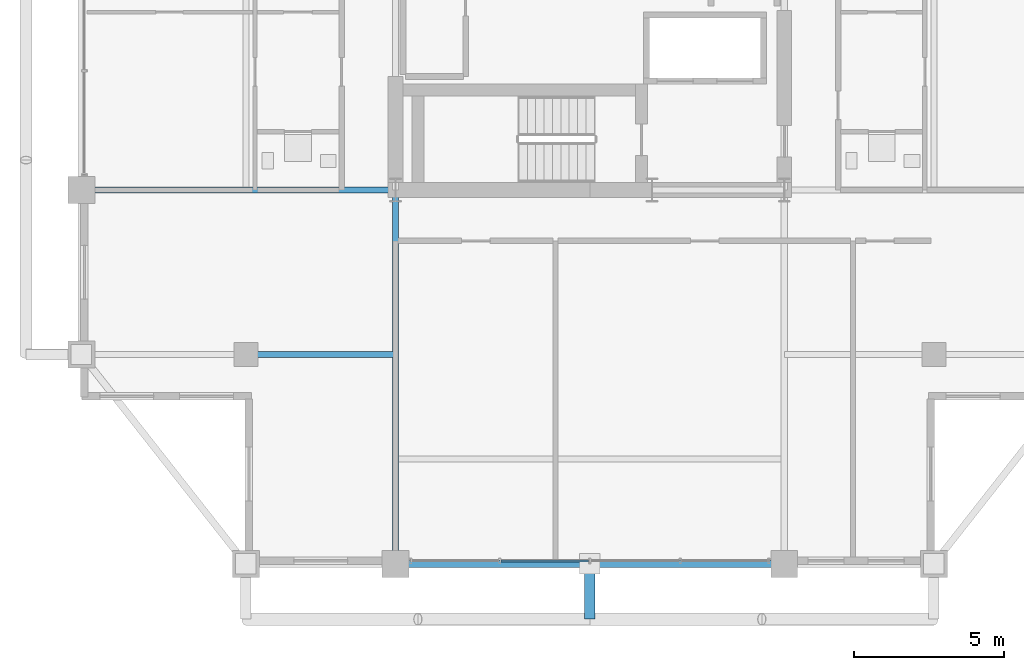
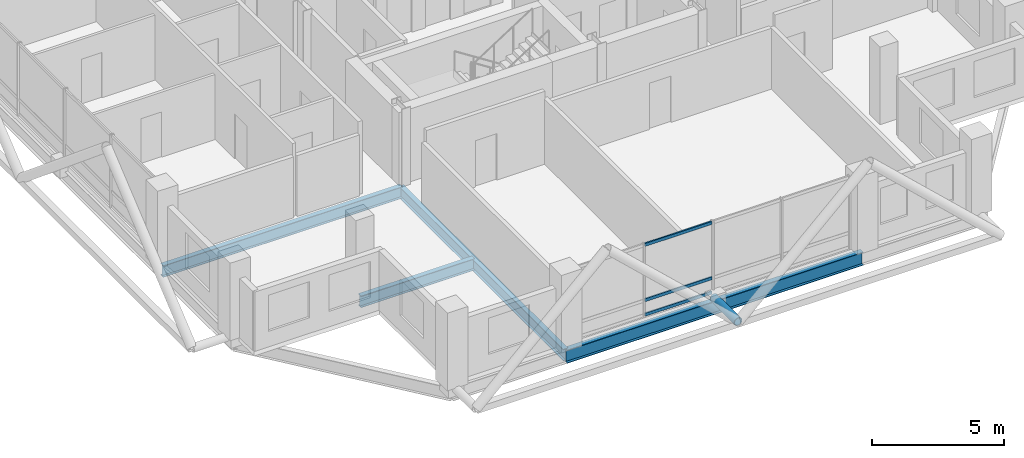
# One storey, part 4 of 24: 4 beams, 4 members, 1 element without a shape of its own.
"""IFC4 building model written with IfcOpenShell, lengths in metres."""

from ifc_helpers import new_model, si_unit, direction, frame, origin, origin_2d, place, context, subcontext, project, spatial, hollow_rectangle, hollow_circle, i_section, extrude, material, layer, layer_set, material_profile, profile_set, type_object, element, aggregate, save


model = new_model("IFC4")

# Units and contexts
model_context = context("Model", 3, precision=1e-05, world=origin(), true_north=direction((0.0, 1.0)))
body_context = subcontext(model_context, "Body", "Model", "MODEL_VIEW")
ifc_project = project(units=[si_unit("LENGTHUNIT", "METRE"), si_unit("AREAUNIT", "SQUARE_METRE"), si_unit("VOLUMEUNIT", "CUBIC_METRE"), si_unit("PLANEANGLEUNIT", "RADIAN"), si_unit("MASSUNIT", "GRAM", prefix="KILO")], contexts=[model_context])

# Site, building, storey
site_placement = place(None, origin())
site = spatial("IfcSite", under=ifc_project, at=site_placement, CompositionType="ELEMENT")
building_placement = place(site_placement, origin())
building = spatial("IfcBuilding", under=site, at=building_placement, Name="Barlavira Tower and Art Museum", CompositionType="ELEMENT")
storey_placement = place(building_placement, frame((0.0, 0.0, 251.10009765625)))
storey = spatial("IfcBuildingStorey", under=building, at=storey_placement, Name="L65", CompositionType="ELEMENT", Elevation=251.10009765625)

# Curtain wall, members
ifc_material_1 = material(Name="Low-iron coastal laminated glass", Category="glass")
ifc_layer = layer(ifc_material_1, 0.2099609375, Name="Low-iron coastal laminated glass")
ifc_layer_set = layer_set([ifc_layer], Name="Low-iron coastal laminated glass")
curtain_wall_type = type_object("IfcCurtainWallType", Name="Pale-Metal Unitised Curtain Wall Zone 4", PredefinedType="NOTDEFINED", material=ifc_layer_set)
curtain_wall_placement = place(storey_placement, origin())
curtain_wall = element("IfcCurtainWall", 1, at=curtain_wall_placement, inside=storey, type_object=curtain_wall_type, Name="L65 Curtain Wall CW4-L65-S-B2", PredefinedType="NOTDEFINED")
ifc_material_2 = material(Name="Pale anodised aluminium", Category="aluminium")
ifc_material_profile_1 = material_profile(ifc_material_2, hollow_rectangle(XDim=0.06494140625, YDim=0.139892578125, WallThickness=0.00390625, at=origin_2d()), Name="ALU-TRAN 65x140x4")
ifc_profile_set_1 = profile_set([ifc_material_profile_1], Name="Pale anodised aluminium")
member_type_1 = type_object("IfcMemberType", Name="Curtain Wall Pale-Metal Transom 65x140", PredefinedType="USERDEFINED", material=ifc_profile_set_1)
member_1_placement = place(storey_placement, frame((-2.969970703125, -19.89990234375, 0.06982421875), z_axis=(1.0, 0.0, 0.0), x_axis=(0.0, 1.0, 0.0)))
member_1 = element("IfcMember", 2, at=member_1_placement, type_object=member_type_1, Name="CW4-L65-S-B2 Transom 1.1", ObjectType="TRANSOM", PredefinedType="USERDEFINED", context=body_context, shape_type="SweptSolid", body=[
    extrude(hollow_rectangle(XDim=0.06494140625, YDim=0.139892578125, WallThickness=0.00390625, at=origin_2d()), origin(), (0.0, 0.0, 1.0), 2.925048828125),
])
member_2_placement = place(storey_placement, frame((-2.969970703125, -19.89990234375, 0.743896484375), z_axis=(1.0, 0.0, 0.0), x_axis=(0.0, 1.0, 0.0)))
member_2 = element("IfcMember", 3, at=member_2_placement, type_object=member_type_1, Name="CW4-L65-S-B2 Transom 1.2", ObjectType="TRANSOM", PredefinedType="USERDEFINED", context=body_context, shape_type="SweptSolid", body=[
    extrude(hollow_rectangle(XDim=0.06494140625, YDim=0.139892578125, WallThickness=0.00390625, at=origin_2d()), origin(), (0.0, 0.0, 1.0), 2.925048828125),
])
member_3_placement = place(storey_placement, frame((-2.969970703125, -19.89990234375, 3.309814453125), z_axis=(1.0, 0.0, 0.0), x_axis=(0.0, 1.0, 0.0)))
member_3 = element("IfcMember", 4, at=member_3_placement, type_object=member_type_1, Name="CW4-L65-S-B2 Transom 1.3", ObjectType="TRANSOM", PredefinedType="USERDEFINED", context=body_context, shape_type="SweptSolid", body=[
    extrude(hollow_rectangle(XDim=0.06494140625, YDim=0.139892578125, WallThickness=0.00390625, at=origin_2d()), origin(), (0.0, 0.0, 1.0), 2.925048828125),
])
aggregate(curtain_wall, [member_1, member_2, member_3])

# Member
ifc_material_3 = material(Name="Steel S355", Category="steel")
ifc_material_profile_2 = material_profile(ifc_material_3, hollow_circle(Radius=0.177734375, WallThickness=0.01611328125, at=origin_2d()), Name="CHS 355.6x16.0")
ifc_profile_set_2 = profile_set([ifc_material_profile_2], Name="Steel S355")
member_type_2 = type_object("IfcMemberType", Name="Pale-Metal Exoskeleton Tie Strut CHS 356x16 Steel S355", PredefinedType="STRUT", material=ifc_profile_set_2)
member_4_placement = place(storey_placement, frame((0.0, -21.85009765625, -0.1201171875), z_axis=(0.0, 1.0, 0.0), x_axis=(-1.0, 0.0, 0.0)))
element("IfcMember", 5, at=member_4_placement, inside=storey, type_object=member_type_2, Name="L65 Exoskeleton Tie Strut S2", PredefinedType="STRUT", context=body_context, shape_type="SweptSolid", body=[
    extrude(hollow_circle(Radius=0.177734375, WallThickness=0.01611328125, at=origin_2d()), origin(), (0.0, 0.0, 1.0), 1.85009765625),
])

# Beams
ifc_material_profile_3 = material_profile(ifc_material_3, i_section(OverallWidth=0.22998046875, OverallDepth=0.616943359375, WebThickness=0.01318359375, FlangeThickness=0.022216796875, at=origin_2d()), Name="W610x140.0")
ifc_profile_set_3 = profile_set([ifc_material_profile_3], Name="Steel S355")
beam_type_1 = type_object("IfcBeamType", Name="Upper Shaft Spandrel Edge Beam W610x140 Steel S355", PredefinedType="SPANDREL", material=ifc_profile_set_3)
beam_1_placement = place(storey_placement, frame((-6.5, -20.0, -0.528564453125), z_axis=(1.0, 0.0, 0.0), x_axis=(0.0, 1.0, 0.0)))
element("IfcBeam", 6, at=beam_1_placement, inside=storey, type_object=beam_type_1, Name="L65 Spandrel 2", PredefinedType="SPANDREL", context=body_context, shape_type="SweptSolid", body=[
    extrude(i_section(OverallWidth=0.22998046875, OverallDepth=0.616943359375, WebThickness=0.01318359375, FlangeThickness=0.022216796875, at=origin_2d()), origin(), (0.0, 0.0, 1.0), 13.0),
])
ifc_material_profile_4 = material_profile(ifc_material_3, i_section(OverallWidth=0.2109375, OverallDepth=0.5390625, WebThickness=0.01171875, FlangeThickness=0.018798828125, at=origin_2d()), Name="W530x109.0")
ifc_profile_set_4 = profile_set([ifc_material_profile_4], Name="Steel S355")
beam_type_2 = type_object("IfcBeamType", Name="Zone 3-4 Primary Floor Girder W530x109 Steel S355", PredefinedType="BEAM", material=ifc_profile_set_4)
beam_2_placement = place(storey_placement, frame((-6.5, -20.0, -0.489501953125), z_axis=(0.0, 1.0, 0.0), x_axis=(-1.0, 0.0, 0.0)))
element("IfcBeam", 7, at=beam_2_placement, inside=storey, type_object=beam_type_2, Name="L65 Girder R-S1", PredefinedType="BEAM", context=body_context, shape_type="SweptSolid", body=[
    extrude(i_section(OverallWidth=0.2109375, OverallDepth=0.5390625, WebThickness=0.01171875, FlangeThickness=0.018798828125, at=origin_2d()), origin(), (0.0, 0.0, 1.0), 12.5),
])
beam_3_placement = place(storey_placement, frame((-17.0, -7.5, -0.489501953125), z_axis=(1.0, 0.0, 0.0), x_axis=(0.0, 1.0, 0.0)))
element("IfcBeam", 8, at=beam_3_placement, inside=storey, type_object=beam_type_2, Name="L65 Girder R-W1", PredefinedType="BEAM", context=body_context, shape_type="SweptSolid", body=[
    extrude(i_section(OverallWidth=0.2109375, OverallDepth=0.5390625, WebThickness=0.01171875, FlangeThickness=0.018798828125, at=origin_2d()), origin(), (0.0, 0.0, 1.0), 10.5),
])
beam_4_placement = place(storey_placement, frame((-11.5, -13.0, -0.489501953125), z_axis=(1.0, 0.0, 0.0), x_axis=(0.0, 1.0, 0.0)))
element("IfcBeam", 9, at=beam_4_placement, inside=storey, type_object=beam_type_2, Name="L65 Girder I-S2", PredefinedType="BEAM", context=body_context, shape_type="SweptSolid", body=[
    extrude(i_section(OverallWidth=0.2109375, OverallDepth=0.5390625, WebThickness=0.01171875, FlangeThickness=0.018798828125, at=origin_2d()), origin(), (0.0, 0.0, 1.0), 5.0),
])

save(model, "model.ifc")
